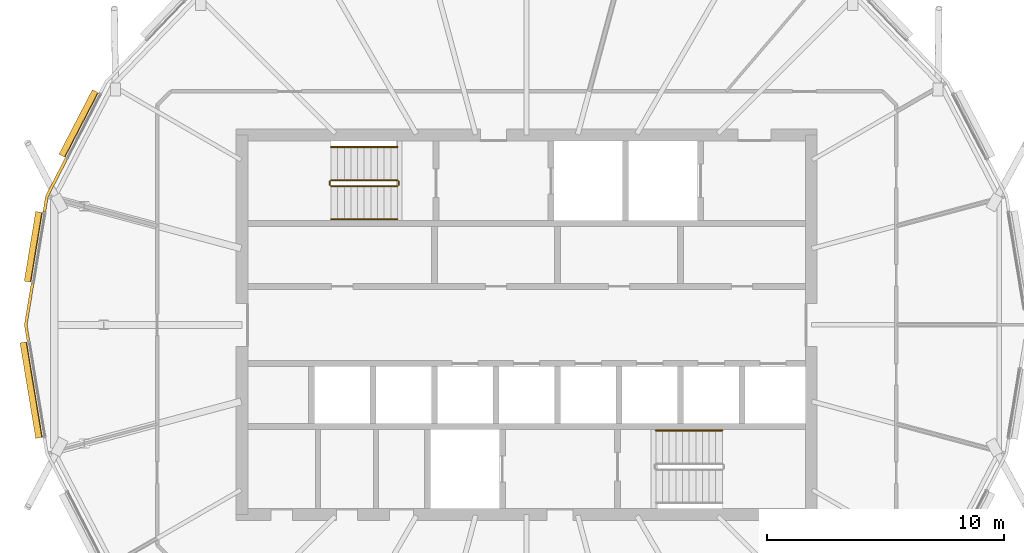
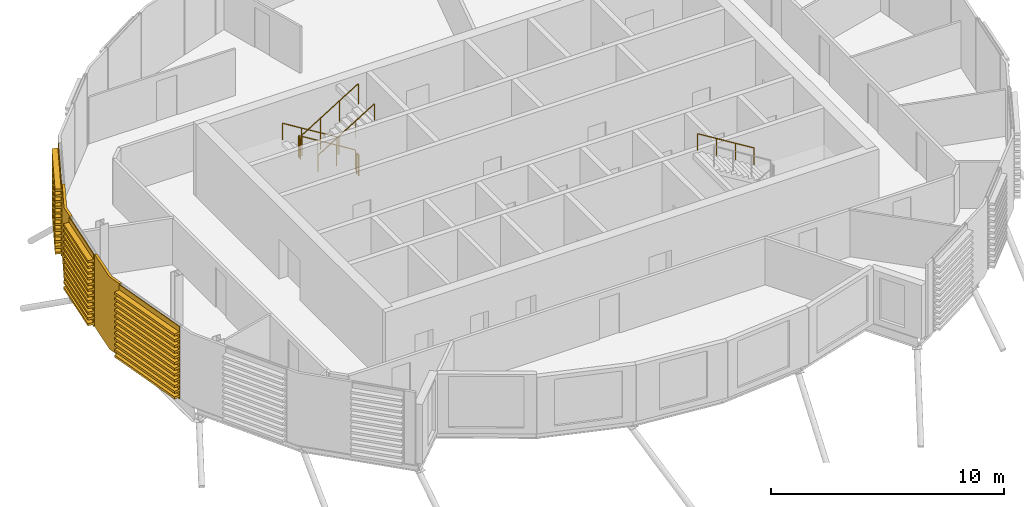
# One storey, part 34 of 38: 7 railings, 5 coverings.
"""IFC4 building model written with IfcOpenShell, lengths in metres."""

import ifcopenshell
import ifcopenshell.guid

model = None  # the IFC model being written
_history = None  # IfcOwnerHistory: only IFC2X3 demands one
_inside = {}  # id of a spatial element -> (the spatial element, [elements in it])
_under = {}  # id of a project, library or spatial element -> (it, [spatial elements below it])
_declared = {}  # id of a project -> (the project, [libraries it declares])
_typed = {}  # id of a type object -> (the type object, [elements of that type])
_made_of = {}  # id of a material, layer set ... -> (it, [elements and type objects made of it])


def new_model(schema):
    """Start an empty IFC model of exactly this schema.

    Asked for "IFC4X3", IfcOpenShell would pick the latest addendum, in which some entities
    have other attributes; the version numbers below select the first issue.
    IFC2X3 requires an IfcOwnerHistory on every rooted entity: one is made here for all.
    """
    global model, _history
    if schema == "IFC4X3":
        model = ifcopenshell.file(schema_version=(4, 3, 0, 0))
    else:
        model = ifcopenshell.file(schema=schema)
    _inside.clear()
    _under.clear()
    _declared.clear()
    _typed.clear()
    _made_of.clear()
    _history = None
    if model.schema == "IFC2X3":
        org = make("IfcOrganization", Name="unknown")
        user = make(
            "IfcPersonAndOrganization",
            ThePerson=make("IfcPerson", FamilyName="unknown"),
            TheOrganization=org,
        )
        app = make(
            "IfcApplication",
            ApplicationDeveloper=org,
            Version="unknown",
            ApplicationFullName="unknown",
            ApplicationIdentifier="unknown",
        )
        _history = make(
            "IfcOwnerHistory",
            OwningUser=user,
            OwningApplication=app,
            ChangeAction="ADDED",
            CreationDate=0,
        )
    return model


def make(cls, **values):
    """One entity of the class cls with the attributes given. An attribute that is None is left unset."""
    return model.create_entity(
        cls, **{name: value for name, value in values.items() if value is not None}
    )


def rooted(cls, **values):
    """An entity with a GlobalId (a new one), such as an element, a storey or a relation."""
    return make(cls, GlobalId=ifcopenshell.guid.new(), OwnerHistory=_history, **values)


def si_unit(unit_type, name, prefix=None):
    """IfcSIUnit, for example si_unit("LENGTHUNIT", "METRE", prefix="MILLI")."""
    return make("IfcSIUnit", UnitType=unit_type, Prefix=prefix, Name=name)


def assignment(units):
    """IfcUnitAssignment: the units of a project."""
    return None if units is None else make("IfcUnitAssignment", Units=units)


def point(xyz):
    """IfcCartesianPoint."""
    return None if xyz is None else make("IfcCartesianPoint", Coordinates=xyz)


def direction(xyz):
    """IfcDirection."""
    return None if xyz is None else make("IfcDirection", DirectionRatios=xyz)


def frame(location, z_axis=None, x_axis=None):
    """IfcAxis2Placement3D, a coordinate frame: its origin and axes. An axis left out is left unset."""
    return make(
        "IfcAxis2Placement3D",
        Location=point(location),
        Axis=direction(z_axis),
        RefDirection=direction(x_axis),
    )


def frame_2d(location, x_axis=None):
    """IfcAxis2Placement2D, a coordinate frame in the plane: its origin and x axis."""
    return make(
        "IfcAxis2Placement2D", Location=point(location), RefDirection=direction(x_axis)
    )


def origin():
    """The frame at (0, 0, 0) with its axes left unset."""
    return frame((0.0, 0.0, 0.0))


def origin_2d():
    """The frame at (0, 0) in the plane with its x axis left unset."""
    return frame_2d((0.0, 0.0))


def place(relative_to, where):
    """IfcLocalPlacement: puts the frame where relative to a parent placement (None: the world)."""
    return make(
        "IfcLocalPlacement", PlacementRelTo=relative_to, RelativePlacement=where
    )


def context(
    kind, dimensions, precision=None, world=None, true_north=None, identifier=None
):
    """IfcGeometricRepresentationContext, for example the 3D "Model" context."""
    return make(
        "IfcGeometricRepresentationContext",
        ContextIdentifier=identifier,
        ContextType=kind,
        CoordinateSpaceDimension=dimensions,
        Precision=precision,
        WorldCoordinateSystem=world,
        TrueNorth=true_north,
    )


def subcontext(parent, identifier, kind, view, scale=None):
    """IfcGeometricRepresentationSubContext, for example "Body" below "Model"."""
    return make(
        "IfcGeometricRepresentationSubContext",
        ContextIdentifier=identifier,
        ContextType=kind,
        ParentContext=parent,
        TargetScale=scale,
        TargetView=view,
    )


def project(units=None, contexts=None):
    """IfcProject with its units and contexts."""
    return rooted(
        "IfcProject",
        Name="project",
        RepresentationContexts=contexts,
        UnitsInContext=assignment(units),
    )


def spatial(cls, under=None, at=None, **own):
    """A site, building, storey or space (cls), placed at a placement, below another one or the project."""
    s = rooted(cls, ObjectPlacement=at, **own)
    if under is not None:
        _under.setdefault(under.id(), (under, []))[1].append(s)
    return s


def polyline(points):
    """IfcPolyline through the points."""
    return make("IfcPolyline", Points=[point(p) for p in points])


def profile(cls, at=None, kind="AREA", **sizes):
    """A parametric profile (cls). Its sizes go by their IFC names, for example OverallWidth=200.0."""
    return make(cls, ProfileType=kind, Position=at, **sizes)


def circle(**sizes):
    """IfcCircleProfileDef."""
    return profile("IfcCircleProfileDef", **sizes)


def outline(outer, holes=None, kind="AREA"):
    """IfcArbitraryClosedProfileDef: a profile drawn as a closed curve; with holes, ...WithVoids."""
    if holes is None:
        return make("IfcArbitraryClosedProfileDef", ProfileType=kind, OuterCurve=outer)
    return make(
        "IfcArbitraryProfileDefWithVoids",
        ProfileType=kind,
        OuterCurve=outer,
        InnerCurves=holes,
    )


def extrude(swept, where, along, depth):
    """IfcExtrudedAreaSolid: the profile swept, set in the frame where, extruded along a direction by depth."""
    return make(
        "IfcExtrudedAreaSolid",
        SweptArea=swept,
        Position=where,
        ExtrudedDirection=direction(along),
        Depth=depth,
    )


def shape(context_of_items, identifier, shape_type, items):
    """IfcShapeRepresentation: the items that make up one representation, for example the "Body"."""
    return make(
        "IfcShapeRepresentation",
        ContextOfItems=context_of_items,
        RepresentationIdentifier=identifier,
        RepresentationType=shape_type,
        Items=items,
    )


def material(Name=None, Category=None):
    """IfcMaterial."""
    return make("IfcMaterial", Name=Name, Category=Category)


def layer(
    of_material, thickness, ventilated=None, Name=None, Category=None, Priority=None
):
    """IfcMaterialLayer: one layer of a wall or slab, of a material (None: an air gap)."""
    return make(
        "IfcMaterialLayer",
        Material=of_material,
        LayerThickness=thickness,
        IsVentilated=ventilated,
        Name=Name,
        Category=Category,
        Priority=Priority,
    )


def layer_set(layers, Name=None):
    """IfcMaterialLayerSet."""
    return make("IfcMaterialLayerSet", MaterialLayers=layers, LayerSetName=Name)


def material_profile(
    of_material, cross_section, Name=None, Category=None, Priority=None
):
    """IfcMaterialProfile: a cross section and its material."""
    return make(
        "IfcMaterialProfile",
        Name=Name,
        Material=of_material,
        Profile=cross_section,
        Priority=Priority,
        Category=Category,
    )


def profile_set(profiles, Name=None, composite=None):
    """IfcMaterialProfileSet."""
    return make(
        "IfcMaterialProfileSet",
        Name=Name,
        MaterialProfiles=profiles,
        CompositeProfile=composite,
    )


def made_of(thing, what):
    """Note that an element or type object is made of a material, layer set ...; save() writes the relation."""
    if what is not None:
        _made_of.setdefault(what.id(), (what, []))[1].append(thing)
    return thing


def type_object(cls, material=None, **own):
    """A type object (cls), such as IfcWallType, which elements share."""
    return made_of(rooted(cls, **own), material)


def element(
    cls,
    number,
    at=None,
    inside=None,
    cuts=None,
    type_object=None,
    material=None,
    context=None,
    identifier="Body",
    shape_type=None,
    held_by="IfcProductDefinitionShape",
    body=None,
    shapes=None,
    **own,
):
    """One element of the class cls, such as IfcWall. Its Tag is "e" and its number.

    at: its placement. inside: the storey or other place that contains it. cuts: it is an
    opening in that element (IfcRelVoidsElement). A single representation is given by context,
    identifier, shape_type and body (its items); several are given by shapes. held_by: the class
    of the entity that holds the representations. save() writes the other relations.
    """
    e = rooted(cls, Tag="e%d" % number, ObjectPlacement=at, **own)
    if body is not None:
        shapes = [shape(context, identifier, shape_type, body)]
    if shapes is not None:
        e.Representation = make(held_by, Representations=shapes)
    if inside is not None:
        _inside.setdefault(inside.id(), (inside, []))[1].append(e)
    if cuts is not None:
        rooted(
            "IfcRelVoidsElement", RelatingBuildingElement=cuts, RelatedOpeningElement=e
        )
    if type_object is not None:
        _typed.setdefault(type_object.id(), (type_object, []))[1].append(e)
    return made_of(e, material)


def aggregate(whole, parts):
    """IfcRelAggregates: a whole, such as a stair, and the parts it consists of."""
    return rooted("IfcRelAggregates", RelatingObject=whole, RelatedObjects=parts)


def save(model, path):
    """Write the relations noted so far, then the file.

    IfcRelAggregates (storeys below a building ...), IfcRelContainedInSpatialStructure (elements
    in a storey), IfcRelDefinesByType, IfcRelAssociatesMaterial and IfcRelDeclares: one each for
    every whole, place, type object, material and project.
    """
    for whole, parts in _under.values():
        aggregate(whole, parts)
    for where, things in _inside.values():
        rooted(
            "IfcRelContainedInSpatialStructure",
            RelatedElements=things,
            RelatingStructure=where,
        )
    for kind, things in _typed.values():
        rooted("IfcRelDefinesByType", RelatedObjects=things, RelatingType=kind)
    for what, things in _made_of.values():
        rooted("IfcRelAssociatesMaterial", RelatedObjects=things, RelatingMaterial=what)
    for by, libraries in _declared.values():
        rooted("IfcRelDeclares", RelatingContext=by, RelatedDefinitions=libraries)
    model.write(path)


model = new_model("IFC4")

# Units and contexts
model_context = context("Model", 3, precision=1e-05, world=origin(), true_north=direction((0.0, 1.0)))
body_context = subcontext(model_context, "Body", "Model", "MODEL_VIEW")
ifc_project = project(units=[si_unit("LENGTHUNIT", "METRE"), si_unit("AREAUNIT", "SQUARE_METRE"), si_unit("VOLUMEUNIT", "CUBIC_METRE"), si_unit("PLANEANGLEUNIT", "RADIAN"), si_unit("MASSUNIT", "GRAM", prefix="KILO")], contexts=[model_context])

# Site, building, storey
site_placement = place(None, origin())
site = spatial("IfcSite", under=ifc_project, at=site_placement, CompositionType="ELEMENT")
building_placement = place(site_placement, origin())
building = spatial("IfcBuilding", under=site, at=building_placement, Name="Rimbun Link Towers", CompositionType="ELEMENT")
storey_placement = place(building_placement, frame((0.0, 0.0, 218.10009765625)))
storey = spatial("IfcBuildingStorey", under=building, at=storey_placement, Name="L53", CompositionType="ELEMENT", Elevation=218.10009765625)

# Coverings
ifc_material_1 = material(Name="Terracotta", Category="masonry")
ifc_layer = layer(ifc_material_1, 0.1201171875)
ifc_layer_set = layer_set([ifc_layer], Name="LINK PIER terracotta cladding 120")
covering_type_1 = type_object("IfcCoveringType", Name="LINK PIER terracotta cladding 120", PredefinedType="CLADDING", material=ifc_layer_set)
covering_1_placement = place(storey_placement, origin())
element("IfcCovering", 1, at=covering_1_placement, inside=storey, type_object=covering_type_1, Name="LINK PIER cladding", PredefinedType="CLADDING", context=body_context, shape_type="SweptSolid", body=[
    extrude(outline(polyline([(-52.030029296875, 4.743896484375), (-51.92138671875, 5.40478515625), (-51.10791015625, 6.976806640625), (-51.214599609375, 7.031982421875), (-52.03662109375, 5.443115234375), (-52.1484375, 4.76318359375), (-52.030029296875, 4.743896484375)])), origin(), (0.0, 0.0, 1.0), 3.7998046875),
])
covering_2_placement = place(storey_placement, origin())
element("IfcCovering", 2, at=covering_2_placement, inside=storey, type_object=covering_type_1, Name="LINK PIER cladding", PredefinedType="CLADDING", context=body_context, shape_type="SweptSolid", body=[
    extrude(outline(polyline([(-52.701416015625, -0.6611328125), (-52.810302734375, 0.0), (-52.52294921875, 1.74658203125), (-52.641357421875, 1.76611328125), (-52.931884765625, 0.0), (-52.81982421875, -0.6806640625), (-52.701416015625, -0.6611328125)])), origin(), (0.0, 0.0, 1.0), 3.7998046875),
])

# Railings
ifc_material_2 = material(Name="Stainless steel grade 316", Category="steel")
railing_type_1 = type_object("IfcRailingType", Name="Stair guard", PredefinedType="GUARDRAIL", material=ifc_material_2)
railing_1_placement = place(storey_placement, frame((-37.199951171875, 6.10009765625, 0.172607421875)))
element("IfcRailing", 3, at=railing_1_placement, inside=storey, type_object=railing_type_1, Name="L53 ST1 stair guard 1", PredefinedType="GUARDRAIL", context=body_context, shape_type="SweptSolid", body=[
    extrude(circle(Radius=0.02392578125, at=origin_2d()), frame((0.0, 0.0, 1.076171875), z_axis=(-0.851089632645, 0.0, 0.525020415988), x_axis=(0.0, -1.0, 0.0)), (0.0, 0.0, 1.0), 3.2900390625),
    extrude(circle(Radius=0.02099609375, at=origin_2d()), origin(), (0.0, 0.0, 1.0), 1.052001953125),
    extrude(circle(Radius=0.02099609375, at=origin_2d()), frame((-0.933349609375, 0.0, 0.57568359375)), (0.0, 0.0, 1.0), 1.052001953125),
    extrude(circle(Radius=0.02099609375, at=origin_2d()), frame((-1.86669921875, 0.0, 1.151611328125)), (0.0, 0.0, 1.0), 1.052001953125),
    extrude(circle(Radius=0.02099609375, at=origin_2d()), frame((-2.800048828125, 0.0, 1.727294921875)), (0.0, 0.0, 1.0), 1.052001953125),
])
railing_2_placement = place(storey_placement, frame((-40.050048828125, 6.050048828125, 1.89990234375)))
element("IfcRailing", 4, at=railing_2_placement, inside=storey, type_object=railing_type_1, Name="L53 ST1 stair guard 2", PredefinedType="GUARDRAIL", context=body_context, shape_type="SweptSolid", body=[
    extrude(circle(Radius=0.02392578125, at=origin_2d()), frame((0.0, 0.0, 1.076171875), z_axis=(0.0, -1.0, 0.0), x_axis=(1.0, 0.0, 0.0)), (0.0, 0.0, 1.0), 0.150146484375),
    extrude(circle(Radius=0.02099609375, at=origin_2d()), origin(), (0.0, 0.0, 1.0), 1.052001953125),
    extrude(circle(Radius=0.02099609375, at=origin_2d()), frame((0.0, -0.150146484375, 0.0)), (0.0, 0.0, 1.0), 1.052001953125),
])
railing_3_placement = place(storey_placement, frame((-40.0, 5.85009765625, 2.072509765625)))
element("IfcRailing", 5, at=railing_3_placement, inside=storey, type_object=railing_type_1, Name="L53 ST1 stair guard 3", PredefinedType="GUARDRAIL", context=body_context, shape_type="SweptSolid", body=[
    extrude(circle(Radius=0.02392578125, at=origin_2d()), frame((0.0, 0.0, 1.076171875), z_axis=(0.851089632645, 0.0, 0.525020415988), x_axis=(0.0, 1.0, 0.0)), (0.0, 0.0, 1.0), 3.2900390625),
    extrude(circle(Radius=0.02099609375, at=origin_2d()), origin(), (0.0, 0.0, 1.0), 1.052001953125),
    extrude(circle(Radius=0.02099609375, at=origin_2d()), frame((0.933349609375, 0.0, 0.57568359375)), (0.0, 0.0, 1.0), 1.052001953125),
    extrude(circle(Radius=0.02099609375, at=origin_2d()), frame((1.86669921875, 0.0, 1.151611328125)), (0.0, 0.0, 1.0), 1.052001953125),
    extrude(circle(Radius=0.02099609375, at=origin_2d()), frame((2.800048828125, 0.0, 1.727294921875)), (0.0, 0.0, 1.0), 1.052001953125),
])
railing_4_placement = place(storey_placement, frame((-37.14990234375, 6.050048828125, 0.0)))
element("IfcRailing", 6, at=railing_4_placement, inside=storey, type_object=railing_type_1, Name="L53 ST1 stair guard 4", PredefinedType="GUARDRAIL", context=body_context, shape_type="SweptSolid", body=[
    extrude(circle(Radius=0.02392578125, at=origin_2d()), frame((0.0, 0.0, 1.076171875), z_axis=(0.0, -1.0, 0.0), x_axis=(1.0, 0.0, 0.0)), (0.0, 0.0, 1.0), 0.150146484375),
    extrude(circle(Radius=0.02099609375, at=origin_2d()), origin(), (0.0, 0.0, 1.0), 1.052001953125),
    extrude(circle(Radius=0.02099609375, at=origin_2d()), frame((0.0, -0.150146484375, 0.0)), (0.0, 0.0, 1.0), 1.052001953125),
])
ifc_material_3 = material(Name="Stainless steel grade 316", Category="steel")
railing_type_2 = type_object("IfcRailingType", Name="Stair handrail", PredefinedType="HANDRAIL", material=ifc_material_3)
railing_5_placement = place(storey_placement, frame((-37.199951171875, 7.5, 0.172607421875)))
element("IfcRailing", 7, at=railing_5_placement, inside=storey, type_object=railing_type_2, Name="L53 ST1 stair handrail 1", PredefinedType="HANDRAIL", context=body_context, shape_type="SweptSolid", body=[
    extrude(circle(Radius=0.02392578125, at=origin_2d()), frame((0.0, 0.0, 0.8759765625), z_axis=(-0.851089632645, 0.0, 0.525020415988), x_axis=(0.0, -1.0, 0.0)), (0.0, 0.0, 1.0), 3.2900390625),
    extrude(circle(Radius=0.02099609375, at=origin_2d()), origin(), (0.0, 0.0, 1.0), 0.851806640625),
    extrude(circle(Radius=0.02099609375, at=origin_2d()), frame((-0.933349609375, 0.0, 0.57568359375)), (0.0, 0.0, 1.0), 0.851806640625),
    extrude(circle(Radius=0.02099609375, at=origin_2d()), frame((-1.86669921875, 0.0, 1.151611328125)), (0.0, 0.0, 1.0), 0.851806640625),
    extrude(circle(Radius=0.02099609375, at=origin_2d()), frame((-2.800048828125, 0.0, 1.727294921875)), (0.0, 0.0, 1.0), 0.851806640625),
])
railing_6_placement = place(storey_placement, frame((-40.0, 4.449951171875, 2.072509765625)))
element("IfcRailing", 8, at=railing_6_placement, inside=storey, type_object=railing_type_2, Name="L53 ST1 stair handrail 2", PredefinedType="HANDRAIL", context=body_context, shape_type="SweptSolid", body=[
    extrude(circle(Radius=0.02392578125, at=origin_2d()), frame((0.0, 0.0, 0.8759765625), z_axis=(0.851089632645, 0.0, 0.525020415988), x_axis=(0.0, 1.0, 0.0)), (0.0, 0.0, 1.0), 3.2900390625),
    extrude(circle(Radius=0.02099609375, at=origin_2d()), origin(), (0.0, 0.0, 1.0), 0.851806640625),
    extrude(circle(Radius=0.02099609375, at=origin_2d()), frame((0.933349609375, 0.0, 0.57568359375)), (0.0, 0.0, 1.0), 0.851806640625),
    extrude(circle(Radius=0.02099609375, at=origin_2d()), frame((1.86669921875, 0.0, 1.151611328125)), (0.0, 0.0, 1.0), 0.851806640625),
    extrude(circle(Radius=0.02099609375, at=origin_2d()), frame((2.800048828125, 0.0, 1.727294921875)), (0.0, 0.0, 1.0), 0.851806640625),
])
railing_7_placement = place(storey_placement, frame((-23.5, -4.449951171875, 2.072509765625)))
element("IfcRailing", 9, at=railing_7_placement, inside=storey, type_object=railing_type_2, Name="L53 ST2 stair handrail 2", PredefinedType="HANDRAIL", context=body_context, shape_type="SweptSolid", body=[
    extrude(circle(Radius=0.02392578125, at=origin_2d()), frame((0.0, 0.0, 0.8759765625), z_axis=(-0.851089632645, 0.0, 0.525020415988), x_axis=(0.0, -1.0, 0.0)), (0.0, 0.0, 1.0), 3.2900390625),
    extrude(circle(Radius=0.02099609375, at=origin_2d()), origin(), (0.0, 0.0, 1.0), 0.851806640625),
    extrude(circle(Radius=0.02099609375, at=origin_2d()), frame((-0.933349609375, 0.0, 0.57568359375)), (0.0, 0.0, 1.0), 0.851806640625),
    extrude(circle(Radius=0.02099609375, at=origin_2d()), frame((-1.86669921875, 0.0, 1.151611328125)), (0.0, 0.0, 1.0), 0.851806640625),
    extrude(circle(Radius=0.02099609375, at=origin_2d()), frame((-2.800048828125, 0.0, 1.727294921875)), (0.0, 0.0, 1.0), 0.851806640625),
])

# Coverings
ifc_material_4 = material(Name="Terracotta", Category="masonry")
ifc_material_profile = material_profile(ifc_material_4, outline(polyline([(0.123046875, 0.0), (0.1630859375, 0.0), (0.1630859375, 0.10009765625), (0.423095703125, 0.10009765625), (0.423095703125, 0.219970703125), (0.1630859375, 0.219970703125), (0.1630859375, 0.39990234375), (0.423095703125, 0.39990234375), (0.423095703125, 0.52001953125), (0.1630859375, 0.52001953125), (0.1630859375, 0.699951171875), (0.423095703125, 0.699951171875), (0.423095703125, 0.820068359375), (0.1630859375, 0.820068359375), (0.1630859375, 1.0), (0.423095703125, 1.0), (0.423095703125, 1.1201171875), (0.1630859375, 1.1201171875), (0.1630859375, 1.300048828125), (0.423095703125, 1.300048828125), (0.423095703125, 1.419921875), (0.1630859375, 1.419921875), (0.1630859375, 1.60009765625), (0.423095703125, 1.60009765625), (0.423095703125, 1.719970703125), (0.1630859375, 1.719970703125), (0.1630859375, 1.89990234375), (0.423095703125, 1.89990234375), (0.423095703125, 2.02001953125), (0.1630859375, 2.02001953125), (0.1630859375, 2.199951171875), (0.423095703125, 2.199951171875), (0.423095703125, 2.320068359375), (0.1630859375, 2.320068359375), (0.1630859375, 2.5), (0.423095703125, 2.5), (0.423095703125, 2.6201171875), (0.1630859375, 2.6201171875), (0.1630859375, 2.800048828125), (0.423095703125, 2.800048828125), (0.423095703125, 2.919921875), (0.1630859375, 2.919921875), (0.1630859375, 3.10009765625), (0.423095703125, 3.10009765625), (0.423095703125, 3.219970703125), (0.1630859375, 3.219970703125), (0.1630859375, 3.39990234375), (0.423095703125, 3.39990234375), (0.423095703125, 3.52001953125), (0.1630859375, 3.52001953125), (0.1630859375, 3.800048828125), (0.123046875, 3.800048828125), (0.123046875, 0.0)])), Name="BAGUETTE 120X300")
ifc_profile_set = profile_set([ifc_material_profile], Name="Terracotta")
covering_type_2 = type_object("IfcCoveringType", Name="TERRACOTTA BAGUETTE 120X300 H3800", PredefinedType="CLADDING", material=ifc_profile_set)
covering_3_placement = place(storey_placement, frame((-51.09423828125, 7.003662109375, 0.0), z_axis=(0.459550949069, 0.888151408945, 0.0), x_axis=(-0.888151408945, 0.459550949069, 0.0)))
element("IfcCovering", 10, at=covering_3_placement, inside=storey, type_object=covering_type_2, Name="TERRACOTTA BAGUETTE", PredefinedType="CLADDING", context=body_context, shape_type="SweptSolid", body=[
    extrude(outline(polyline([(0.123046875, 0.0), (0.1630859375, 0.0), (0.1630859375, 0.10009765625), (0.423095703125, 0.10009765625), (0.423095703125, 0.219970703125), (0.1630859375, 0.219970703125), (0.1630859375, 0.39990234375), (0.423095703125, 0.39990234375), (0.423095703125, 0.52001953125), (0.1630859375, 0.52001953125), (0.1630859375, 0.699951171875), (0.423095703125, 0.699951171875), (0.423095703125, 0.820068359375), (0.1630859375, 0.820068359375), (0.1630859375, 1.0), (0.423095703125, 1.0), (0.423095703125, 1.1201171875), (0.1630859375, 1.1201171875), (0.1630859375, 1.300048828125), (0.423095703125, 1.300048828125), (0.423095703125, 1.419921875), (0.1630859375, 1.419921875), (0.1630859375, 1.60009765625), (0.423095703125, 1.60009765625), (0.423095703125, 1.719970703125), (0.1630859375, 1.719970703125), (0.1630859375, 1.89990234375), (0.423095703125, 1.89990234375), (0.423095703125, 2.02001953125), (0.1630859375, 2.02001953125), (0.1630859375, 2.199951171875), (0.423095703125, 2.199951171875), (0.423095703125, 2.320068359375), (0.1630859375, 2.320068359375), (0.1630859375, 2.5), (0.423095703125, 2.5), (0.423095703125, 2.6201171875), (0.1630859375, 2.6201171875), (0.1630859375, 2.800048828125), (0.423095703125, 2.800048828125), (0.423095703125, 2.919921875), (0.1630859375, 2.919921875), (0.1630859375, 3.10009765625), (0.423095703125, 3.10009765625), (0.423095703125, 3.219970703125), (0.1630859375, 3.219970703125), (0.1630859375, 3.39990234375), (0.423095703125, 3.39990234375), (0.423095703125, 3.52001953125), (0.1630859375, 3.52001953125), (0.1630859375, 3.800048828125), (0.123046875, 3.800048828125), (0.123046875, 0.0)])), origin(), (0.0, 0.0, 1.0), 3.060546875),
])
covering_4_placement = place(storey_placement, frame((-52.51806640625, 1.776123046875, 0.0), z_axis=(0.162271127458, 0.98674620911, 0.0), x_axis=(-0.98674620911, 0.162271127458, 0.0)))
element("IfcCovering", 11, at=covering_4_placement, inside=storey, type_object=covering_type_2, Name="TERRACOTTA BAGUETTE", PredefinedType="CLADDING", context=body_context, shape_type="SweptSolid", body=[
    extrude(outline(polyline([(0.123046875, 0.0), (0.1630859375, 0.0), (0.1630859375, 0.10009765625), (0.423095703125, 0.10009765625), (0.423095703125, 0.219970703125), (0.1630859375, 0.219970703125), (0.1630859375, 0.39990234375), (0.423095703125, 0.39990234375), (0.423095703125, 0.52001953125), (0.1630859375, 0.52001953125), (0.1630859375, 0.699951171875), (0.423095703125, 0.699951171875), (0.423095703125, 0.820068359375), (0.1630859375, 0.820068359375), (0.1630859375, 1.0), (0.423095703125, 1.0), (0.423095703125, 1.1201171875), (0.1630859375, 1.1201171875), (0.1630859375, 1.300048828125), (0.423095703125, 1.300048828125), (0.423095703125, 1.419921875), (0.1630859375, 1.419921875), (0.1630859375, 1.60009765625), (0.423095703125, 1.60009765625), (0.423095703125, 1.719970703125), (0.1630859375, 1.719970703125), (0.1630859375, 1.89990234375), (0.423095703125, 1.89990234375), (0.423095703125, 2.02001953125), (0.1630859375, 2.02001953125), (0.1630859375, 2.199951171875), (0.423095703125, 2.199951171875), (0.423095703125, 2.320068359375), (0.1630859375, 2.320068359375), (0.1630859375, 2.5), (0.423095703125, 2.5), (0.423095703125, 2.6201171875), (0.1630859375, 2.6201171875), (0.1630859375, 2.800048828125), (0.423095703125, 2.800048828125), (0.423095703125, 2.919921875), (0.1630859375, 2.919921875), (0.1630859375, 3.10009765625), (0.423095703125, 3.10009765625), (0.423095703125, 3.219970703125), (0.1630859375, 3.219970703125), (0.1630859375, 3.39990234375), (0.423095703125, 3.39990234375), (0.423095703125, 3.52001953125), (0.1630859375, 3.52001953125), (0.1630859375, 3.800048828125), (0.123046875, 3.800048828125), (0.123046875, 0.0)])), origin(), (0.0, 0.0, 1.0), 2.9775390625),
])
covering_5_placement = place(storey_placement, frame((-52.034912109375, -4.714111328125, 0.0), z_axis=(-0.162262504225, 0.986747627168, 0.0), x_axis=(-0.986747627168, -0.162262504225, 0.0)))
element("IfcCovering", 12, at=covering_5_placement, inside=storey, type_object=covering_type_2, Name="TERRACOTTA BAGUETTE", PredefinedType="CLADDING", context=body_context, shape_type="SweptSolid", body=[
    extrude(outline(polyline([(0.123046875, 0.0), (0.1630859375, 0.0), (0.1630859375, 0.10009765625), (0.423095703125, 0.10009765625), (0.423095703125, 0.219970703125), (0.1630859375, 0.219970703125), (0.1630859375, 0.39990234375), (0.423095703125, 0.39990234375), (0.423095703125, 0.52001953125), (0.1630859375, 0.52001953125), (0.1630859375, 0.699951171875), (0.423095703125, 0.699951171875), (0.423095703125, 0.820068359375), (0.1630859375, 0.820068359375), (0.1630859375, 1.0), (0.423095703125, 1.0), (0.423095703125, 1.1201171875), (0.1630859375, 1.1201171875), (0.1630859375, 1.300048828125), (0.423095703125, 1.300048828125), (0.423095703125, 1.419921875), (0.1630859375, 1.419921875), (0.1630859375, 1.60009765625), (0.423095703125, 1.60009765625), (0.423095703125, 1.719970703125), (0.1630859375, 1.719970703125), (0.1630859375, 1.89990234375), (0.423095703125, 1.89990234375), (0.423095703125, 2.02001953125), (0.1630859375, 2.02001953125), (0.1630859375, 2.199951171875), (0.423095703125, 2.199951171875), (0.423095703125, 2.320068359375), (0.1630859375, 2.320068359375), (0.1630859375, 2.5), (0.423095703125, 2.5), (0.423095703125, 2.6201171875), (0.1630859375, 2.6201171875), (0.1630859375, 2.800048828125), (0.423095703125, 2.800048828125), (0.423095703125, 2.919921875), (0.1630859375, 2.919921875), (0.1630859375, 3.10009765625), (0.423095703125, 3.10009765625), (0.423095703125, 3.219970703125), (0.1630859375, 3.219970703125), (0.1630859375, 3.39990234375), (0.423095703125, 3.39990234375), (0.423095703125, 3.52001953125), (0.1630859375, 3.52001953125), (0.1630859375, 3.800048828125), (0.123046875, 3.800048828125), (0.123046875, 0.0)])), origin(), (0.0, 0.0, 1.0), 4.077392578125),
])

save(model, "model.ifc")
